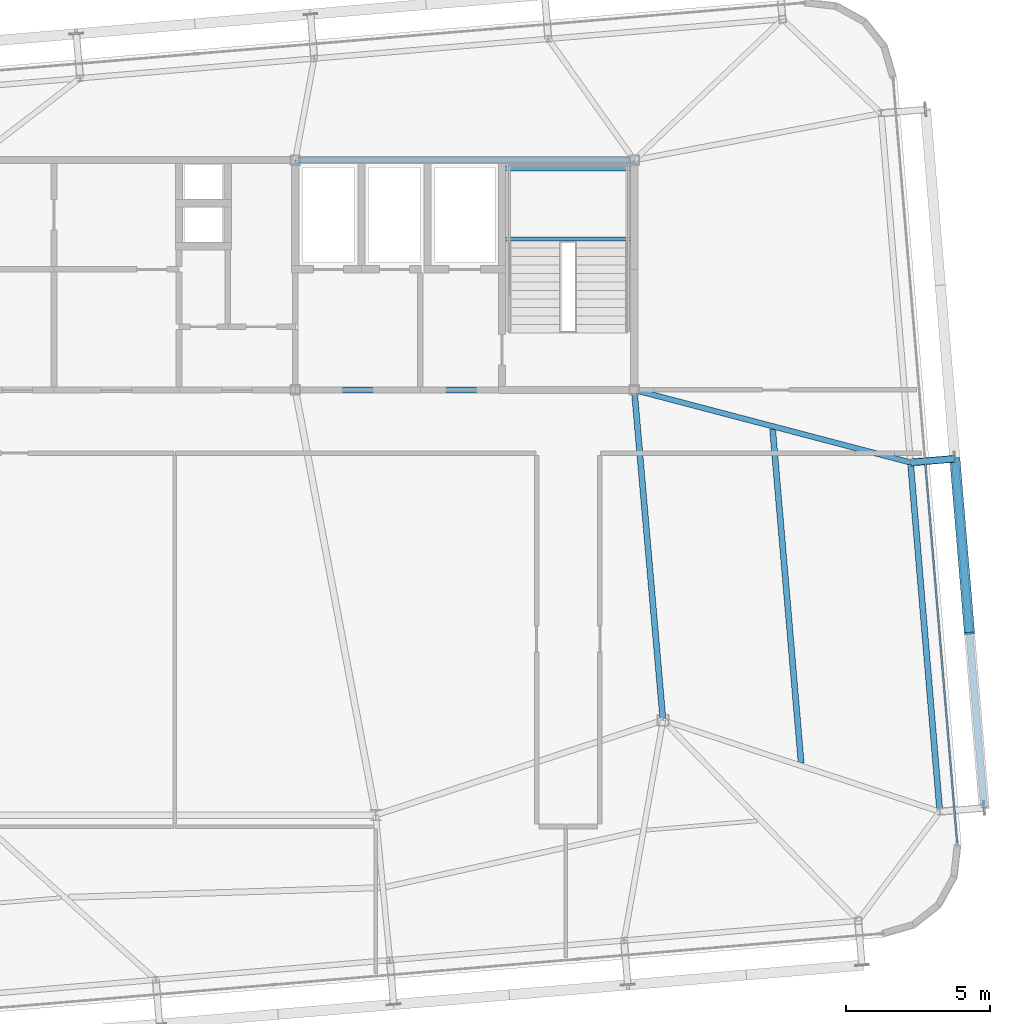
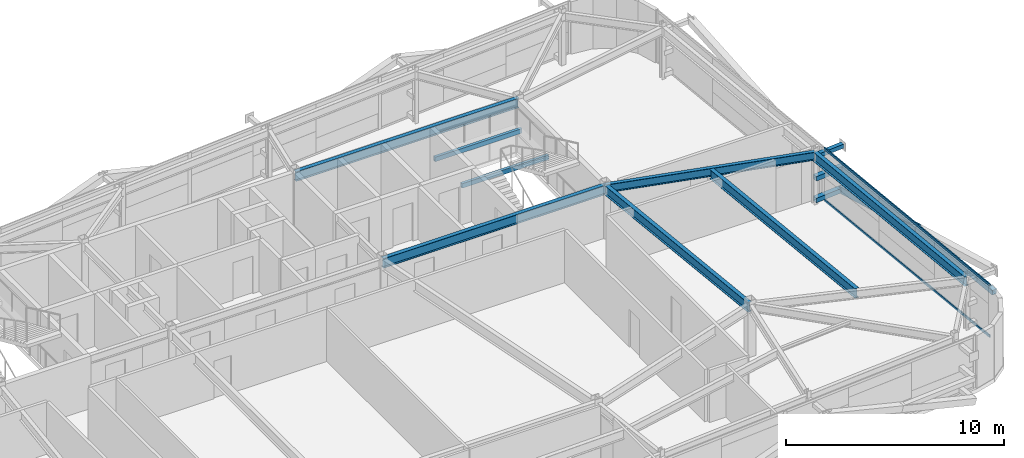
# One storey, part 19 of 37: 8 beams, 7 members, 1 element without a shape of its own.
"""IFC4 building model written with IfcOpenShell, lengths in metres."""

from ifc_helpers import new_model, si_unit, direction, frame, origin, origin_2d, place, context, subcontext, project, spatial, hollow_rectangle, i_section, extrude, source, transform, mapped, material, layer, layer_set, material_profile, profile_set, type_object, element, aggregate, save


model = new_model("IFC4")

# Units and contexts
model_context = context("Model", 3, precision=1e-05, world=origin(), true_north=direction((0.0, 1.0)))
body_context = subcontext(model_context, "Body", "Model", "MODEL_VIEW")
ifc_project = project(units=[si_unit("LENGTHUNIT", "METRE"), si_unit("AREAUNIT", "SQUARE_METRE"), si_unit("VOLUMEUNIT", "CUBIC_METRE"), si_unit("PLANEANGLEUNIT", "RADIAN"), si_unit("MASSUNIT", "GRAM", prefix="KILO")], contexts=[model_context])

# Site, building, storey
site_placement = place(None, origin())
site = spatial("IfcSite", under=ifc_project, at=site_placement, CompositionType="ELEMENT")
building_placement = place(site_placement, origin())
building = spatial("IfcBuilding", under=site, at=building_placement, Name="Taldren Reach Tower", CompositionType="ELEMENT")
storey_placement = place(building_placement, frame((0.0, 0.0, 200.89990234375)))
storey = spatial("IfcBuildingStorey", under=building, at=storey_placement, Name="L61", CompositionType="ELEMENT", Elevation=200.89990234375)

# Beams
ifc_material_1 = material(Name="Steel Gr 350 (350PLUS)", Category="steel")
ifc_material_profile_1 = material_profile(ifc_material_1, i_section(OverallWidth=0.208984375, OverallDepth=0.532958984375, WebThickness=0.01025390625, FlangeThickness=0.015625, at=origin_2d()), Name="530UB92.4")
ifc_profile_set_1 = profile_set([ifc_material_profile_1], Name="Steel Gr 350 (350PLUS)")
beam_type_1 = type_object("IfcBeamType", Name="BM-UB530A", PredefinedType="BEAM", material=ifc_profile_set_1)
shared_shape_1 = source(origin(), body_context, "Body", "SweptSolid", [
    extrude(i_section(OverallWidth=0.208984375, OverallDepth=0.532958984375, WebThickness=0.01025390625, FlangeThickness=0.015625, at=origin_2d()), origin(), (0.0, 0.0, 1.0), 11.800048828125),
])
for number, where, z_axis, x_axis, name in (
    (1, (39.199951171875, 24.0, 2.66357421875), (1.0, 0.0, 0.0), (0.0, 1.0, 0.0), "Core-spine girder L61-SP03"),
    (2, (39.199951171875, 32.0, 2.66357421875), (1.0, 0.0, 0.0), (0.0, 1.0, 0.0), "Core-spine girder L61-SP06"),
):
    element("IfcBeam", number, at=place(storey_placement, frame(where, z_axis=z_axis, x_axis=x_axis)), inside=storey, type_object=beam_type_1, Name=name, PredefinedType="BEAM", context=body_context, shape_type="MappedRepresentation", body=[
        mapped(shared_shape_1, transform((0.0, 0.0, 0.0), scale=1.0)),
    ])
shared_shape_2 = source(origin(), body_context, "Body", "SweptSolid", [
    extrude(i_section(OverallWidth=0.208984375, OverallDepth=0.532958984375, WebThickness=0.01025390625, FlangeThickness=0.015625, at=origin_2d()), origin(), (0.0, 0.0, 1.0), 11.54345703125),
])
beam_1_placement = place(storey_placement, frame((52.0, 12.5, 2.66357421875), z_axis=(-0.086629616365, 0.996240588196, 0.0), x_axis=(-0.996240588196, -0.086629616365, 0.0)))
element("IfcBeam", 3, at=beam_1_placement, inside=storey, type_object=beam_type_1, Name="Core-spine girder L61-SP13", PredefinedType="BEAM", context=body_context, shape_type="MappedRepresentation", body=[
    mapped(shared_shape_2, transform((0.0, 0.0, 0.0), scale=1.0)),
])
ifc_material_profile_2 = material_profile(ifc_material_1, i_section(OverallWidth=0.208984375, OverallDepth=0.528076171875, WebThickness=0.009521484375, FlangeThickness=0.01318359375, at=origin_2d()), Name="530UB82.0")
ifc_profile_set_2 = profile_set([ifc_material_profile_2], Name="Steel Gr 350 (350PLUS)")
beam_type_2 = type_object("IfcBeamType", Name="SP-UB530B", PredefinedType="SPANDREL", material=ifc_profile_set_2)
shared_shape_3 = source(origin(), body_context, "Body", "SweptSolid", [
    extrude(i_section(OverallWidth=0.208984375, OverallDepth=0.528076171875, WebThickness=0.009521484375, FlangeThickness=0.01318359375, at=origin_2d()), origin(), (0.0, 0.0, 1.0), 12.199951171875),
])
beam_2_placement = place(storey_placement, frame((61.63818359375, 9.317626953125, 2.666015625), z_axis=(-0.083688038336, 0.996492003099, 0.0), x_axis=(-0.996492003099, -0.083688038336, 0.0)))
element("IfcBeam", 4, at=beam_2_placement, inside=storey, type_object=beam_type_2, Name="Perimeter spandrel B4 E1-E2 L61", PredefinedType="SPANDREL", context=body_context, shape_type="MappedRepresentation", body=[
    mapped(shared_shape_3, transform((0.0, 0.0, 0.0), scale=1.0)),
])
ifc_material_profile_3 = material_profile(ifc_material_1, i_section(OverallWidth=0.19091796875, OverallDepth=0.4599609375, WebThickness=0.010009765625, FlangeThickness=0.01611328125, at=origin_2d()), Name="460UB82.1")
ifc_profile_set_3 = profile_set([ifc_material_profile_3], Name="Steel Gr 350 (350PLUS)")
beam_type_3 = type_object("IfcBeamType", Name="BM-UB460A", PredefinedType="BEAM", material=ifc_profile_set_3)
shared_shape_4 = source(origin(), body_context, "Body", "SweptSolid", [
    extrude(i_section(OverallWidth=0.19091796875, OverallDepth=0.4599609375, WebThickness=0.010009765625, FlangeThickness=0.01611328125, at=origin_2d()), origin(), (0.0, 0.0, 1.0), 9.943115234375),
])
beam_3_placement = place(storey_placement, frame((51.0, 24.0, 2.7001953125), z_axis=(0.967215285987, -0.253957851923, 0.0), x_axis=(0.253957851923, 0.967215285987, 0.0)))
element("IfcBeam", 5, at=beam_3_placement, inside=storey, type_object=beam_type_3, Name="Primary floor girder B4-E2 L61", PredefinedType="BEAM", context=body_context, shape_type="MappedRepresentation", body=[
    mapped(shared_shape_4, transform((0.0, 0.0, 0.0), scale=1.0)),
])
shared_shape_5 = source(origin(), body_context, "Body", "SweptSolid", [
    extrude(i_section(OverallWidth=0.208984375, OverallDepth=0.532958984375, WebThickness=0.01025390625, FlangeThickness=0.015625, at=origin_2d()), origin(), (0.0, 0.0, 1.0), 11.66650390625),
])
beam_4_placement = place(storey_placement, frame((56.810302734375, 11.01220703125, 2.66357421875), z_axis=(-0.085128704566, 0.996369963246, 0.0), x_axis=(-0.996369963246, -0.085128704566, 0.0)))
element("IfcBeam", 6, at=beam_4_placement, inside=storey, type_object=beam_type_1, Name="Secondary floor beam B4 J7 L61", PredefinedType="BEAM", context=body_context, shape_type="MappedRepresentation", body=[
    mapped(shared_shape_5, transform((0.0, 0.0, 0.0), scale=1.0)),
])

# Members
ifc_material_2 = material(Name="Steel Gr 450 (C450L0)", Category="steel")
ifc_material_profile_4 = material_profile(ifc_material_2, hollow_rectangle(XDim=0.219970703125, YDim=0.219970703125, WallThickness=0.00830078125, at=origin_2d()), Name="220x220x8.2SHS")
ifc_profile_set_4 = profile_set([ifc_material_profile_4], Name="Steel Gr 450 (C450L0)")
member_type_1 = type_object("IfcMemberType", Name="MB-TIE219", PredefinedType="STRUT", material=ifc_profile_set_4)
shared_shape_6 = source(origin(), body_context, "Body", "SweptSolid", [
    extrude(hollow_rectangle(XDim=0.219970703125, YDim=0.219970703125, WallThickness=0.00830078125, at=origin_2d()), origin(), (0.0, 0.0, 1.0), 1.54541015625),
])
member_1_placement = place(storey_placement, frame((60.621826171875, 21.47509765625, 2.650146484375), z_axis=(0.99648887425, 0.083725285883, 0.0), x_axis=(-0.083725285883, 0.99648887425, 0.0)))
element("IfcMember", 7, at=member_1_placement, inside=storey, type_object=member_type_1, Name="Exoskeleton diaphragm tie strut B4-E2 L61", PredefinedType="STRUT", context=body_context, shape_type="MappedRepresentation", body=[
    mapped(shared_shape_6, transform((0.0, 0.0, 0.0), scale=1.0)),
])
ifc_material_3 = material(Name="Steel Gr 350 (C350L0)", Category="steel")
ifc_material_profile_5 = material_profile(ifc_material_3, hollow_rectangle(XDim=0.25, YDim=0.25, WallThickness=0.010009765625, at=origin_2d()), Name="250x250x10.0SHS")
ifc_profile_set_5 = profile_set([ifc_material_profile_5], Name="Steel Gr 350 (C350L0)")
member_type_2 = type_object("IfcMemberType", Name="MB-POST250", PredefinedType="POST", material=ifc_profile_set_5)
shared_shape_7 = source(origin(), body_context, "Body", "SweptSolid", [
    extrude(hollow_rectangle(XDim=0.25, YDim=0.25, WallThickness=0.010009765625, at=origin_2d()), origin(), (0.0, 0.0, 1.0), 12.199951171875),
])
member_2_placement = place(storey_placement, frame((63.1826171875, 9.447265625, 1.43505859375), z_axis=(-0.083668166953, 0.99649367175, 0.0), x_axis=(-0.99649367175, -0.083668166953, 0.0)))
element("IfcMember", 8, at=member_2_placement, inside=storey, type_object=member_type_2, Name="Exoskeleton mid-height ring chord B4-E1 L61", PredefinedType="POST", context=body_context, shape_type="MappedRepresentation", body=[
    mapped(shared_shape_7, transform((0.0, 0.0, 0.0), scale=1.0)),
])
shared_shape_8 = source(origin(), body_context, "Body", "SweptSolid", [
    extrude(hollow_rectangle(XDim=0.25, YDim=0.25, WallThickness=0.010009765625, at=origin_2d()), origin(), (0.0, 0.0, 1.0), 1.54541015625),
])
for number, where, z_axis, x_axis, name in (
    (9, (60.621826171875, 21.47509765625, 0.22021484375), (0.99648887425, 0.083725285883, 0.0), (-0.083725285883, 0.99648887425, 0.0), "Exoskeleton base diaphragm tie strut B4-E2 L61"),
    (10, (60.621826171875, 21.47509765625, 1.43505859375), (0.99648887425, 0.083725285883, 0.0), (-0.083725285883, 0.99648887425, 0.0), "Exoskeleton mid-tier diaphragm tie B4-E2 L61"),
):
    element("IfcMember", number, at=place(storey_placement, frame(where, z_axis=z_axis, x_axis=x_axis)), inside=storey, type_object=member_type_2, Name=name, PredefinedType="POST", context=body_context, shape_type="MappedRepresentation", body=[
        mapped(shared_shape_8, transform((0.0, 0.0, 0.0), scale=1.0)),
    ])
ifc_material_profile_6 = material_profile(ifc_material_2, hollow_rectangle(XDim=0.360107421875, YDim=0.360107421875, WallThickness=0.0126953125, at=origin_2d()), Name="360x360x12.7SHS")
ifc_profile_set_6 = profile_set([ifc_material_profile_6], Name="Steel Gr 450 (C450L0)")
member_type_3 = type_object("IfcMemberType", Name="MB-EXO356", PredefinedType="BRACE", material=ifc_profile_set_6)
shared_shape_9 = source(origin(), body_context, "Body", "SweptSolid", [
    extrude(hollow_rectangle(XDim=0.360107421875, YDim=0.360107421875, WallThickness=0.0126953125, at=origin_2d()), origin(), (0.0, 0.0, 1.0), 6.2197265625),
])
member_3_placement = place(storey_placement, frame((62.161865234375, 21.6044921875, 0.22021484375), z_axis=(0.082037206294, -0.977302565702, 0.195319205034), x_axis=(0.996495340012, 0.08364829547, 0.0)))
element("IfcMember", 11, at=member_3_placement, inside=storey, type_object=member_type_3, Name="Exoskeleton Diagrid Brace B4-E1 L61", PredefinedType="BRACE", context=body_context, shape_type="MappedRepresentation", body=[
    mapped(shared_shape_9, transform((0.0, 0.0, 0.0), scale=1.0)),
])

# Curtain wall, members
ifc_material_4 = material(Name="Aluminium and Low-E Glass Unitised System", Category="aluminium")
ifc_layer = layer(ifc_material_4, 0.159912109375)
ifc_layer_set = layer_set([ifc_layer], Name="Aluminium and Low-E Glass Unitised System")
curtain_wall_type = type_object("IfcCurtainWallType", Name="CW-SYS-5", PredefinedType="NOTDEFINED", material=ifc_layer_set)
curtain_wall_placement = place(storey_placement, origin())
curtain_wall = element("IfcCurtainWall", 12, at=curtain_wall_placement, inside=storey, type_object=curtain_wall_type, Name="Unitised curtain wall CW-L61-E", PredefinedType="NOTDEFINED")
ifc_material_5 = material(Name="Anodised Aluminium 6063-T6", Category="aluminium")
ifc_material_profile_7 = material_profile(ifc_material_5, hollow_rectangle(XDim=0.06005859375, YDim=0.135009765625, WallThickness=0.00341796875, at=origin_2d()), Name="ALU-135x60x3.5RHS")
ifc_profile_set_7 = profile_set([ifc_material_profile_7], Name="Anodised Aluminium 6063-T6")
member_type_4 = type_object("IfcMemberType", Name="CW-TRN-150", PredefinedType="USERDEFINED", material=ifc_profile_set_7)
shared_shape_10 = source(origin(), body_context, "Body", "SweptSolid", [
    extrude(hollow_rectangle(XDim=0.06005859375, YDim=0.135009765625, WallThickness=0.00341796875, at=origin_2d()), origin(), (0.0, 0.0, 1.0), 13.295166015625),
])
member_4_placement = place(storey_placement, frame((62.240966796875, 8.234130859375, 0.030029296875), z_axis=(-0.083680700004, 0.996492619364, 0.0), x_axis=(-0.996492619364, -0.083680700004, 0.0)))
member_4 = element("IfcMember", 13, at=member_4_placement, type_object=member_type_4, Name="CW-5 transom 1.1", ObjectType="TRANSOM", PredefinedType="USERDEFINED", context=body_context, shape_type="MappedRepresentation", body=[
    mapped(shared_shape_10, transform((0.0, 0.0, 0.0), scale=1.0)),
])
member_5_placement = place(storey_placement, frame((62.240966796875, 8.234130859375, 2.900146484375), z_axis=(-0.083680700004, 0.996492619364, 0.0), x_axis=(-0.996492619364, -0.083680700004, 0.0)))
member_5 = element("IfcMember", 14, at=member_5_placement, type_object=member_type_4, Name="CW-5 transom 1.2", ObjectType="TRANSOM", PredefinedType="USERDEFINED", context=body_context, shape_type="MappedRepresentation", body=[
    mapped(shared_shape_10, transform((0.0, 0.0, 0.0), scale=1.0)),
])
aggregate(curtain_wall, [member_4, member_5])

# Beams
ifc_material_profile_8 = material_profile(ifc_material_3, hollow_rectangle(XDim=0.14990234375, YDim=0.25, WallThickness=0.009033203125, at=origin_2d()), Name="250x150x9.0RHS")
ifc_profile_set_8 = profile_set([ifc_material_profile_8], Name="Steel Gr 350 (C350L0)")
beam_type_4 = type_object("IfcBeamType", Name="LN-RHS250", PredefinedType="LINTEL", material=ifc_profile_set_8)
shared_shape_11 = source(origin(), body_context, "Body", "SweptSolid", [
    extrude(hollow_rectangle(XDim=0.14990234375, YDim=0.25, WallThickness=0.009033203125, at=origin_2d()), origin(), (0.0, 0.0, 1.0), 4.60009765625),
])
for number, where, z_axis, x_axis, name in (
    (15, (46.39990234375, 29.2548828125, 1.27001953125), (1.0, 0.0, 0.0), (0.0, 1.0, 0.0), "Stair half-landing support beam ST2-L61-1"),
    (16, (46.39990234375, 31.699951171875, 1.27001953125), (1.0, 0.0, 0.0), (0.0, 1.0, 0.0), "Stair half-landing support beam ST2-L61-2"),
):
    element("IfcBeam", number, at=place(storey_placement, frame(where, z_axis=z_axis, x_axis=x_axis)), inside=storey, type_object=beam_type_4, Name=name, PredefinedType="LINTEL", context=body_context, shape_type="MappedRepresentation", body=[
        mapped(shared_shape_11, transform((0.0, 0.0, 0.0), scale=1.0)),
    ])

save(model, "model.ifc")
